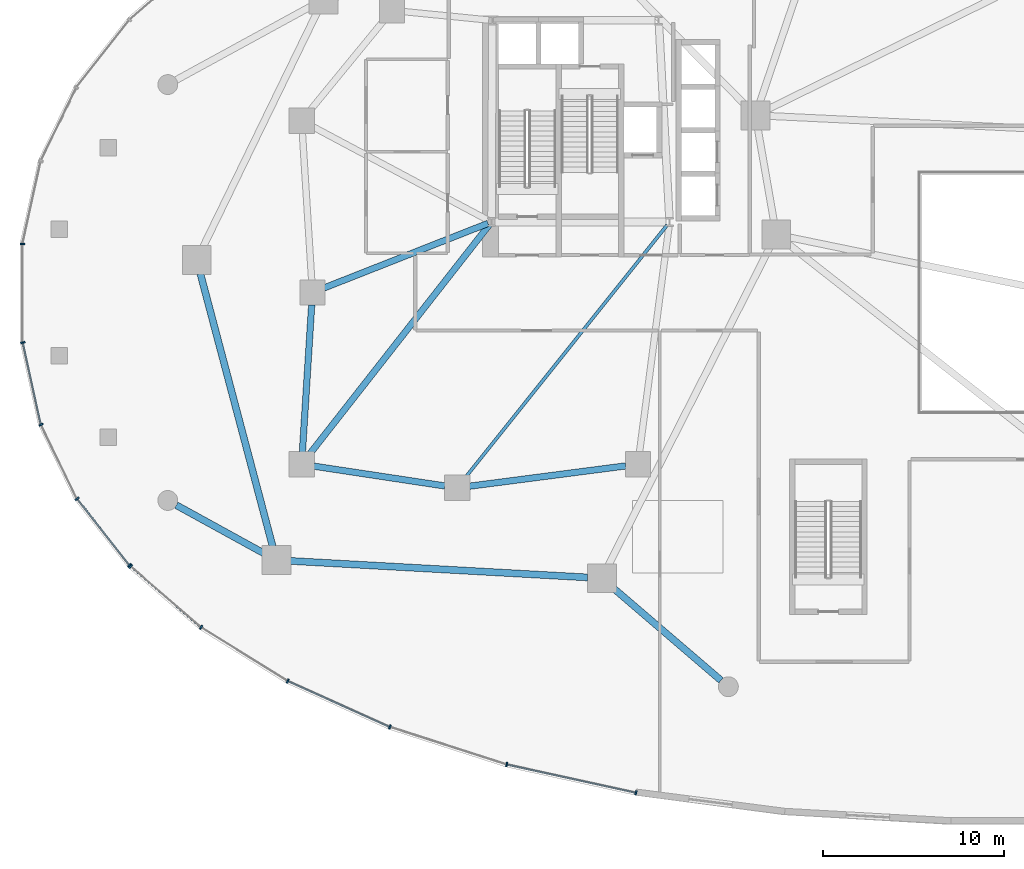
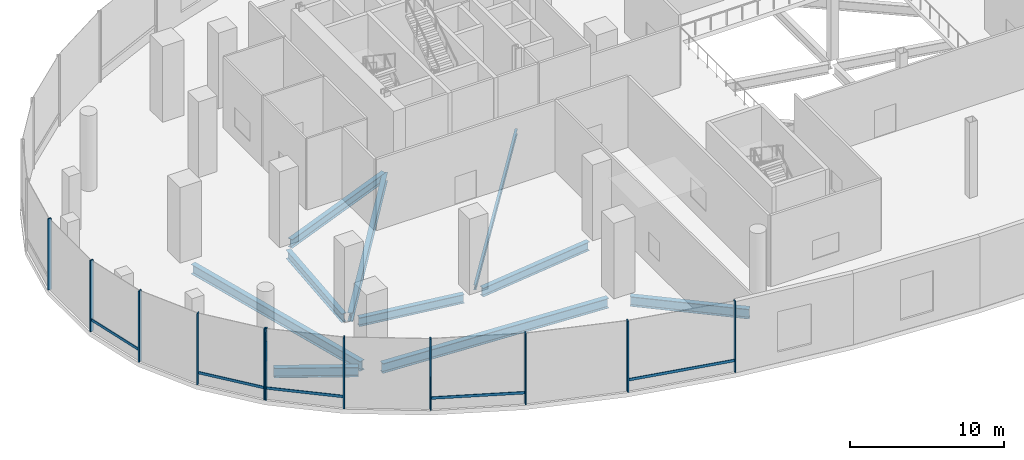
# One storey, part 3 of 20: 16 members, 10 beams, 2 elements without a shape of their own.
"""IFC4 building model written with IfcOpenShell, lengths in metres."""

from ifc_helpers import new_model, si_unit, direction, frame, origin, origin_2d, place, context, subcontext, project, spatial, rectangle, i_section, extrude, material, material_profile, profile_set, type_object, element, aggregate, save


model = new_model("IFC4")

# Units and contexts
model_context = context("Model", 3, precision=1e-05, world=origin(), true_north=direction((0.0, 1.0)))
body_context = subcontext(model_context, "Body", "Model", "MODEL_VIEW")
ifc_project = project(units=[si_unit("LENGTHUNIT", "METRE"), si_unit("AREAUNIT", "SQUARE_METRE"), si_unit("VOLUMEUNIT", "CUBIC_METRE"), si_unit("PLANEANGLEUNIT", "RADIAN"), si_unit("MASSUNIT", "GRAM", prefix="KILO"), si_unit("THERMODYNAMICTEMPERATUREUNIT", "KELVIN"), si_unit("POWERUNIT", "WATT")], contexts=[model_context])

# Site, building, storey
site_placement = place(None, origin())
site = spatial("IfcSite", under=ifc_project, at=site_placement, CompositionType="ELEMENT")
building_placement = place(site_placement, origin())
building = spatial("IfcBuilding", under=site, at=building_placement, Name="Cundina Bronze Exchange", CompositionType="ELEMENT")
storey_placement = place(building_placement, frame((0.0, 0.0, 6.0)))
storey = spatial("IfcBuildingStorey", under=building, at=storey_placement, Name="L01", CompositionType="ELEMENT", Elevation=6.0)

# Beams
ifc_material_1 = material(Name="Steel ASTM A992 Grade 50", Category="steel")
ifc_material_profile_1 = material_profile(ifc_material_1, i_section(OverallWidth=0.178955078125, OverallDepth=0.409912109375, WebThickness=0.0087890625, FlangeThickness=0.014404296875, FilletRadius=0.010986328125, at=origin_2d()), Name="W16X45", Category="steel")
ifc_profile_set_1 = profile_set([ifc_material_profile_1], Name="Steel ASTM A992 Grade 50")
beam_type_1 = type_object("IfcBeamType", Name="BM-JST-W16", PredefinedType="JOIST", material=ifc_profile_set_1)
beam_1_placement = place(storey_placement, frame((-21.577392578125, 3.740478515625, -0.554931640625), z_axis=(-0.624374458297, -0.781125172957, 0.0), x_axis=(0.781125172957, -0.624374458297, 0.0)))
element("IfcBeam", 1, at=beam_1_placement, inside=storey, type_object=beam_type_1, Name="L01 W Interior Core-to-Ring Joist 2", PredefinedType="JOIST", context=body_context, shape_type="SweptSolid", body=[
    extrude(i_section(OverallWidth=0.178955078125, OverallDepth=0.409912109375, WebThickness=0.0087890625, FlangeThickness=0.014404296875, FilletRadius=0.010986328125, at=origin_2d()), origin(), (0.0, 0.0, 1.0), 17.927001953125),
])
ifc_material_profile_2 = material_profile(ifc_material_1, i_section(OverallWidth=0.35498046875, OverallDepth=0.695068359375, WebThickness=0.015380859375, FlangeThickness=0.02490234375, FilletRadius=0.01806640625, at=origin_2d()), Name="W27X146", Category="steel")
ifc_profile_set_2 = profile_set([ifc_material_profile_2], Name="Steel ASTM A992 Grade 50")
beam_type_2 = type_object("IfcBeamType", Name="BM-RING-W27", PredefinedType="USERDEFINED", material=ifc_profile_set_2)
beam_2_placement = place(storey_placement, frame((-41.243408203125, -0.6865234375, -0.697509765625), z_axis=(-0.063020359641, -0.998012241544, 0.0), x_axis=(0.998012241544, -0.063020359641, 0.0)))
element("IfcBeam", 2, at=beam_2_placement, inside=storey, type_object=beam_type_2, Name="L01 W Inner Structural Ring Girder 04", ObjectType="GIRDER", PredefinedType="USERDEFINED", context=body_context, shape_type="SweptSolid", body=[
    extrude(i_section(OverallWidth=0.35498046875, OverallDepth=0.695068359375, WebThickness=0.015380859375, FlangeThickness=0.02490234375, FilletRadius=0.01806640625, at=origin_2d()), origin(), (0.0, 0.0, 1.0), 8.14306640625),
])
beam_3_placement = place(storey_placement, frame((-41.11962890625, -9.602783203125, -0.697509765625), z_axis=(0.988763496177, -0.149488289268, 0.0), x_axis=(0.149488289268, 0.988763496177, 0.0)))
element("IfcBeam", 3, at=beam_3_placement, inside=storey, type_object=beam_type_2, Name="L01 W Inner Structural Ring Girder 05", ObjectType="GIRDER", PredefinedType="USERDEFINED", context=body_context, shape_type="SweptSolid", body=[
    extrude(i_section(OverallWidth=0.35498046875, OverallDepth=0.695068359375, WebThickness=0.015380859375, FlangeThickness=0.02490234375, FilletRadius=0.01806640625, at=origin_2d()), origin(), (0.0, 0.0, 1.0), 7.321533203125),
])
beam_4_placement = place(storey_placement, frame((-32.517578125, -10.711181640625, -0.697509765625), z_axis=(0.991655975758, 0.128912473185, 0.0), x_axis=(-0.128912473185, 0.991655975758, 0.0)))
element("IfcBeam", 4, at=beam_4_placement, inside=storey, type_object=beam_type_2, Name="L01 W Inner Structural Ring Girder 06", ObjectType="GIRDER", PredefinedType="USERDEFINED", context=body_context, shape_type="SweptSolid", body=[
    extrude(i_section(OverallWidth=0.35498046875, OverallDepth=0.695068359375, WebThickness=0.015380859375, FlangeThickness=0.02490234375, FilletRadius=0.01806640625, at=origin_2d()), origin(), (0.0, 0.0, 1.0), 8.7080078125),
])
beam_5_placement = place(storey_placement, frame((-31.48974609375, 3.8251953125, -0.697509765625), z_axis=(-0.930410463214, -0.366519262715, 0.0), x_axis=(0.366519262715, -0.930410463214, 0.0)))
element("IfcBeam", 5, at=beam_5_placement, inside=storey, type_object=beam_type_2, Name="L01 W Core-to-Waist Tie Beam 1", ObjectType="GIRDER", PredefinedType="USERDEFINED", context=body_context, shape_type="SweptSolid", body=[
    extrude(i_section(OverallWidth=0.35498046875, OverallDepth=0.695068359375, WebThickness=0.015380859375, FlangeThickness=0.02490234375, FilletRadius=0.01806640625, at=origin_2d()), origin(), (0.0, 0.0, 1.0), 9.74853515625),
])
beam_6_placement = place(storey_placement, frame((-31.42578125, 3.739501953125, -0.697509765625), z_axis=(-0.616784362929, -0.787132167839, 0.0), x_axis=(0.787132167839, -0.616784362929, 0.0)))
element("IfcBeam", 6, at=beam_6_placement, inside=storey, type_object=beam_type_2, Name="L01 W Core-to-Waist Tie Beam 3", ObjectType="GIRDER", PredefinedType="USERDEFINED", context=body_context, shape_type="SweptSolid", body=[
    extrude(i_section(OverallWidth=0.35498046875, OverallDepth=0.695068359375, WebThickness=0.015380859375, FlangeThickness=0.02490234375, FilletRadius=0.01806640625, at=origin_2d()), origin(), (0.0, 0.0, 1.0), 16.132080078125),
])
ifc_material_profile_3 = material_profile(ifc_material_1, i_section(OverallWidth=0.381103515625, OverallDepth=0.77294921875, WebThickness=0.0166015625, FlangeThickness=0.027099609375, FilletRadius=0.01904296875, at=origin_2d()), Name="W30X173", Category="steel")
ifc_profile_set_3 = profile_set([ifc_material_profile_3], Name="Steel ASTM A992 Grade 50")
beam_type_3 = type_object("IfcBeamType", Name="BM-RING-W30", PredefinedType="USERDEFINED", material=ifc_profile_set_3)
beam_7_placement = place(storey_placement, frame((-48.728515625, -11.75927734375, -0.736572265625), z_axis=(0.876222443353, -0.481906868351, 0.0), x_axis=(0.481906868351, 0.876222443353, 0.0)))
element("IfcBeam", 7, at=beam_7_placement, inside=storey, type_object=beam_type_3, Name="L01 Podium Colonnade Tie Beam 02", ObjectType="GIRDER", PredefinedType="USERDEFINED", context=body_context, shape_type="SweptSolid", body=[
    extrude(i_section(OverallWidth=0.381103515625, OverallDepth=0.77294921875, WebThickness=0.0166015625, FlangeThickness=0.027099609375, FilletRadius=0.01904296875, at=origin_2d()), origin(), (0.0, 0.0, 1.0), 5.521484375),
])
beam_8_placement = place(storey_placement, frame((-18.6083984375, -21.449951171875, -0.736572265625), z_axis=(-0.759256602365, 0.650791373456, 0.0), x_axis=(-0.650791373456, -0.759256602365, 0.0)))
element("IfcBeam", 8, at=beam_8_placement, inside=storey, type_object=beam_type_3, Name="L01 Podium Colonnade Tie Beam 06", ObjectType="GIRDER", PredefinedType="USERDEFINED", context=body_context, shape_type="SweptSolid", body=[
    extrude(i_section(OverallWidth=0.381103515625, OverallDepth=0.77294921875, WebThickness=0.0166015625, FlangeThickness=0.027099609375, FilletRadius=0.01904296875, at=origin_2d()), origin(), (0.0, 0.0, 1.0), 7.893798828125),
])
beam_9_placement = place(storey_placement, frame((-47.398193359375, 1.038330078125, -0.736572265625), z_axis=(0.256219519418, -0.966618620692, 0.0), x_axis=(0.966618620692, 0.256219519418, 0.0)))
element("IfcBeam", 9, at=beam_9_placement, inside=storey, type_object=beam_type_3, Name="L01 W Podium Ring Girder 08", ObjectType="GIRDER", PredefinedType="USERDEFINED", context=body_context, shape_type="SweptSolid", body=[
    extrude(i_section(OverallWidth=0.381103515625, OverallDepth=0.77294921875, WebThickness=0.0166015625, FlangeThickness=0.027099609375, FilletRadius=0.01904296875, at=origin_2d()), origin(), (0.0, 0.0, 1.0), 15.597412109375),
])
beam_10_placement = place(storey_placement, frame((-42.4130859375, -14.84375, -0.736572265625), z_axis=(0.998460261881, -0.05547166343, 0.0), x_axis=(0.05547166343, 0.998460261881, 0.0)))
element("IfcBeam", 10, at=beam_10_placement, inside=storey, type_object=beam_type_3, Name="L01 W Podium Ring Girder 10", ObjectType="GIRDER", PredefinedType="USERDEFINED", context=body_context, shape_type="SweptSolid", body=[
    extrude(i_section(OverallWidth=0.381103515625, OverallDepth=0.77294921875, WebThickness=0.0166015625, FlangeThickness=0.027099609375, FilletRadius=0.01904296875, at=origin_2d()), origin(), (0.0, 0.0, 1.0), 16.45166015625),
])

# Curtain wall, members
ifc_material_2 = material(Name="Anodised Bronze Aluminium 6063-T6", Category="aluminium")
curtain_wall_type = type_object("IfcCurtainWallType", Name="CWS-POD-CONC", PredefinedType="NOTDEFINED", material=ifc_material_2)
curtain_wall_1_placement = place(storey_placement, origin())
curtain_wall_1 = element("IfcCurtainWall", 11, at=curtain_wall_1_placement, inside=storey, type_object=curtain_wall_type, Name="L01 CW-01 Curtain Wall Run CWR-L01-04", PredefinedType="NOTDEFINED")
ifc_material_profile_4 = material_profile(ifc_material_2, rectangle(XDim=0.0849609375, YDim=0.25, at=origin_2d()), Name="AL85X250", Category="aluminium")
ifc_profile_set_4 = profile_set([ifc_material_profile_4], Name="Anodised Bronze Aluminium 6063-T6")
member_type_1 = type_object("IfcMemberType", Name="CWM-MUL-250", PredefinedType="MULLION", material=ifc_profile_set_4)
member_1_placement = place(storey_placement, frame((-57.22900390625, 2.680419921875, 0.0), z_axis=(0.0, 0.0, 1.0), x_axis=(0.0, -1.0, 0.0)))
member_1 = element("IfcMember", 12, at=member_1_placement, type_object=member_type_1, Name="CW-01 Mullion 2", PredefinedType="MULLION", context=body_context, shape_type="SweptSolid", body=[
    extrude(rectangle(XDim=0.0849609375, YDim=0.25, at=origin_2d()), origin(), (0.0, 0.0, 1.0), 5.64990234375),
])
member_2_placement = place(storey_placement, frame((-57.219482421875, -2.76708984375, 0.0), z_axis=(0.0, 0.0, 1.0), x_axis=(0.214564862428, -0.976709741843, 0.0)))
member_2 = element("IfcMember", 13, at=member_2_placement, type_object=member_type_1, Name="CW-01 Mullion 3", PredefinedType="MULLION", context=body_context, shape_type="SweptSolid", body=[
    extrude(rectangle(XDim=0.0849609375, YDim=0.25, at=origin_2d()), origin(), (0.0, 0.0, 1.0), 5.64990234375),
])
member_3_placement = place(storey_placement, frame((-56.211669921875, -7.311279296875, 0.0), z_axis=(0.0, 0.0, 1.0), x_axis=(0.435702445497, -0.900090761528, 0.0)))
member_3 = element("IfcMember", 14, at=member_3_placement, type_object=member_type_1, Name="CW-01 Mullion 4", PredefinedType="MULLION", context=body_context, shape_type="SweptSolid", body=[
    extrude(rectangle(XDim=0.0849609375, YDim=0.25, at=origin_2d()), origin(), (0.0, 0.0, 1.0), 5.64990234375),
])
member_4_placement = place(storey_placement, frame((-54.21728515625, -11.408935546875, 0.0), z_axis=(0.0, 0.0, 1.0), x_axis=(0.61950505541, -0.784992666412, 0.0)))
member_4 = element("IfcMember", 15, at=member_4_placement, type_object=member_type_1, Name="CW-01 Mullion 5", PredefinedType="MULLION", context=body_context, shape_type="SweptSolid", body=[
    extrude(rectangle(XDim=0.0849609375, YDim=0.25, at=origin_2d()), origin(), (0.0, 0.0, 1.0), 5.64990234375),
])
member_5_placement = place(storey_placement, frame((-51.320068359375, -15.08056640625, 0.0), z_axis=(0.0, 0.0, 1.0), x_axis=(0.61950505541, -0.784992666412, 0.0)))
member_5 = element("IfcMember", 16, at=member_5_placement, type_object=member_type_1, Name="CW-01 End Mullion", PredefinedType="MULLION", context=body_context, shape_type="SweptSolid", body=[
    extrude(rectangle(XDim=0.0849609375, YDim=0.25, at=origin_2d()), origin(), (0.0, 0.0, 1.0), 5.64990234375),
])

curtain_wall_2_placement = place(storey_placement, origin())
curtain_wall_2 = element("IfcCurtainWall", 17, at=curtain_wall_2_placement, inside=storey, type_object=curtain_wall_type, Name="L01 CW-01 Curtain Wall Run CWR-L01-05", PredefinedType="NOTDEFINED")
member_6_placement = place(storey_placement, frame((-51.257080078125, -15.146484375, 0.0), z_axis=(0.0, 0.0, 1.0), x_axis=(0.755510544084, -0.6551364879, 0.0)))
member_6 = element("IfcMember", 18, at=member_6_placement, type_object=member_type_1, Name="CW-01 Mullion 1", PredefinedType="MULLION", context=body_context, shape_type="SweptSolid", body=[
    extrude(rectangle(XDim=0.0849609375, YDim=0.25, at=origin_2d()), origin(), (0.0, 0.0, 1.0), 5.64990234375),
])
member_7_placement = place(storey_placement, frame((-47.35986328125, -18.515380859375, 0.0), z_axis=(0.0, 0.0, 1.0), x_axis=(0.849340400263, -0.527845511945, 0.0)))
member_7 = element("IfcMember", 19, at=member_7_placement, type_object=member_type_1, Name="CW-01 Mullion 2", PredefinedType="MULLION", context=body_context, shape_type="SweptSolid", body=[
    extrude(rectangle(XDim=0.0849609375, YDim=0.25, at=origin_2d()), origin(), (0.0, 0.0, 1.0), 5.64990234375),
])
member_8_placement = place(storey_placement, frame((-42.566162109375, -21.4873046875, 0.0), z_axis=(0.0, 0.0, 1.0), x_axis=(0.911618620107, -0.411037092578, 0.0)))
member_8 = element("IfcMember", 20, at=member_8_placement, type_object=member_type_1, Name="CW-01 Mullion 3", PredefinedType="MULLION", context=body_context, shape_type="SweptSolid", body=[
    extrude(rectangle(XDim=0.0849609375, YDim=0.25, at=origin_2d()), origin(), (0.0, 0.0, 1.0), 5.64990234375),
])
member_9_placement = place(storey_placement, frame((-36.91796875, -24.027099609375, 0.0), z_axis=(0.0, 0.0, 1.0), x_axis=(0.951862260753, -0.306526078098, 0.0)))
member_9 = element("IfcMember", 21, at=member_9_placement, type_object=member_type_1, Name="CW-01 Mullion 4", PredefinedType="MULLION", context=body_context, shape_type="SweptSolid", body=[
    extrude(rectangle(XDim=0.0849609375, YDim=0.25, at=origin_2d()), origin(), (0.0, 0.0, 1.0), 5.64990234375),
])
member_10_placement = place(storey_placement, frame((-30.456787109375, -26.10302734375, 0.0), z_axis=(0.0, 0.0, 1.0), x_axis=(0.976896613081, -0.213712440794, 0.0)))
member_10 = element("IfcMember", 22, at=member_10_placement, type_object=member_type_1, Name="CW-01 Mullion 5", PredefinedType="MULLION", context=body_context, shape_type="SweptSolid", body=[
    extrude(rectangle(XDim=0.0849609375, YDim=0.25, at=origin_2d()), origin(), (0.0, 0.0, 1.0), 5.64990234375),
])
member_11_placement = place(storey_placement, frame((-23.30810546875, -27.66650390625, 0.0), z_axis=(0.0, 0.0, 1.0), x_axis=(0.976896613081, -0.213712440794, 0.0)))
member_11 = element("IfcMember", 23, at=member_11_placement, type_object=member_type_1, Name="CW-01 End Mullion", PredefinedType="MULLION", context=body_context, shape_type="SweptSolid", body=[
    extrude(rectangle(XDim=0.0849609375, YDim=0.25, at=origin_2d()), origin(), (0.0, 0.0, 1.0), 5.64990234375),
])

# Member
ifc_material_profile_5 = material_profile(ifc_material_2, rectangle(XDim=0.080078125, YDim=0.2099609375, at=origin_2d()), Name="AL80X210", Category="aluminium")
ifc_profile_set_5 = profile_set([ifc_material_profile_5], Name="Anodised Bronze Aluminium 6063-T6")
member_type_2 = type_object("IfcMemberType", Name="CWM-TRN-210", PredefinedType="USERDEFINED", material=ifc_profile_set_5)
member_12_placement = place(storey_placement, frame((-57.209716796875, -2.812744140625, 0.919921875), z_axis=(0.214548972216, -0.97671323249, 0.0), x_axis=(0.97671323249, 0.214548972216, 0.0)))
member_12 = element("IfcMember", 24, at=member_12_placement, type_object=member_type_2, Name="CW-01 Spandrel Transom 3", ObjectType="TRANSOM", PredefinedType="USERDEFINED", context=body_context, shape_type="SweptSolid", body=[
    extrude(rectangle(XDim=0.080078125, YDim=0.2099609375, at=origin_2d()), origin(), (0.0, 0.0, 1.0), 4.571044921875),
])

member_13_placement = place(storey_placement, frame((-54.1884765625, -11.445556640625, 0.919921875), z_axis=(0.619471571466, -0.785019090306, 0.0), x_axis=(0.785019090306, 0.619471571466, 0.0)))
member_13 = element("IfcMember", 25, at=member_13_placement, type_object=member_type_2, Name="CW-01 Spandrel Transom 5", ObjectType="TRANSOM", PredefinedType="USERDEFINED", context=body_context, shape_type="SweptSolid", body=[
    extrude(rectangle(XDim=0.080078125, YDim=0.2099609375, at=origin_2d()), origin(), (0.0, 0.0, 1.0), 4.58349609375),
])

aggregate(curtain_wall_1, [member_1, member_2, member_12, member_3, member_4, member_5, member_13])

member_14_placement = place(storey_placement, frame((-51.2216796875, -15.177001953125, 0.919921875), z_axis=(0.755563201238, -0.655075758164, 0.0), x_axis=(0.655075758164, 0.755563201238, 0.0)))
member_14 = element("IfcMember", 26, at=member_14_placement, type_object=member_type_2, Name="CW-01 Spandrel Transom 1", ObjectType="TRANSOM", PredefinedType="USERDEFINED", context=body_context, shape_type="SweptSolid", body=[
    extrude(rectangle(XDim=0.080078125, YDim=0.2099609375, at=origin_2d()), origin(), (0.0, 0.0, 1.0), 5.055908203125),
])

member_15_placement = place(storey_placement, frame((-42.5234375, -21.506591796875, 0.919921875), z_axis=(0.911656553379, -0.410952951908, 0.0), x_axis=(0.410952951908, 0.911656553379, 0.0)))
member_15 = element("IfcMember", 27, at=member_15_placement, type_object=member_type_2, Name="CW-01 Spandrel Transom 3", ObjectType="TRANSOM", PredefinedType="USERDEFINED", context=body_context, shape_type="SweptSolid", body=[
    extrude(rectangle(XDim=0.080078125, YDim=0.2099609375, at=origin_2d()), origin(), (0.0, 0.0, 1.0), 6.090576171875),
])

member_16_placement = place(storey_placement, frame((-30.4111328125, -26.113037109375, 0.919921875), z_axis=(0.976909937501, -0.213651524713, 0.0), x_axis=(0.213651524713, 0.976909937501, 0.0)))
member_16 = element("IfcMember", 28, at=member_16_placement, type_object=member_type_2, Name="CW-01 Spandrel Transom 5", ObjectType="TRANSOM", PredefinedType="USERDEFINED", context=body_context, shape_type="SweptSolid", body=[
    extrude(rectangle(XDim=0.080078125, YDim=0.2099609375, at=origin_2d()), origin(), (0.0, 0.0, 1.0), 7.22412109375),
])

aggregate(curtain_wall_2, [member_6, member_14, member_7, member_8, member_15, member_9, member_10, member_11, member_16])

save(model, "model.ifc")
